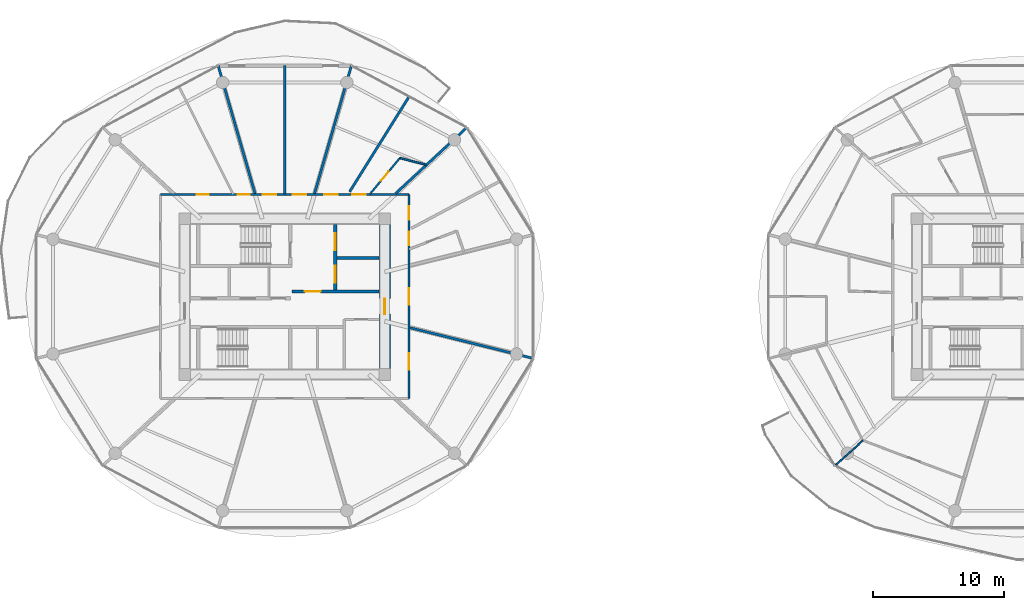
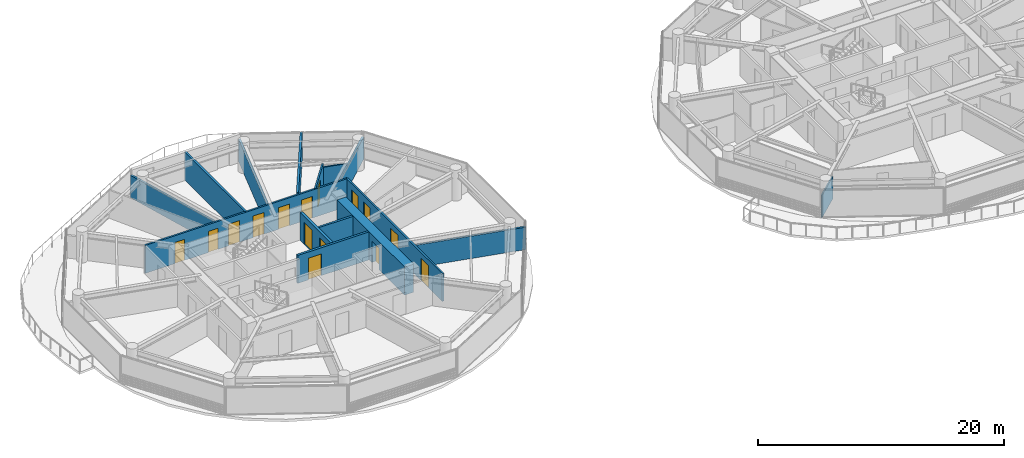
# One storey, part 16 of 26: 15 doors, 15 walls, 15 openings.
"""IFC4 building model written with IfcOpenShell, lengths in metres."""

from ifc_helpers import new_model, si_unit, direction, frame, frame_2d, origin, place, context, subcontext, project, spatial, rectangle, extrude, source, transform, mapped, material, layer, layer_set, type_object, type_shapes, element, fill, save


model = new_model("IFC4")

# Units and contexts
model_context = context("Model", 3, precision=1e-05, world=origin(), true_north=direction((0.0, 1.0)))
body_context = subcontext(model_context, "Body", "Model", "MODEL_VIEW")
ifc_project = project(units=[si_unit("LENGTHUNIT", "METRE"), si_unit("AREAUNIT", "SQUARE_METRE"), si_unit("VOLUMEUNIT", "CUBIC_METRE"), si_unit("PLANEANGLEUNIT", "RADIAN"), si_unit("MASSUNIT", "GRAM", prefix="KILO")], contexts=[model_context])

# Site, building, storey
site_placement = place(None, origin())
site = spatial("IfcSite", under=ifc_project, at=site_placement, CompositionType="ELEMENT")
building_placement = place(site_placement, origin())
building = spatial("IfcBuilding", under=site, at=building_placement, Name="Norrkilde Senior Care Towers", CompositionType="ELEMENT")
storey_placement = place(building_placement, frame((0.0, 0.0, 24.64990234375)))
storey = spatial("IfcBuildingStorey", under=building, at=storey_placement, Name="L06", CompositionType="ELEMENT", Elevation=24.64990234375)

# Wall, opening, door
ifc_material_1 = material(Name="Concrete C60/75", Category="concrete")
ifc_layer_1 = layer(ifc_material_1, 0.85009765625)
ifc_layer_set_1 = layer_set([ifc_layer_1], Name="Concrete C60/75")
wall_type_1 = type_object("IfcWallType", Name="Core Shear Wall Z1 850", PredefinedType="SHEAR", material=ifc_layer_set_1)
shared_shape_1 = source(origin(), body_context, "Body", "SweptSolid", [
    extrude(rectangle(XDim=11.0, YDim=0.85009765625, at=frame_2d((5.5, 0.0))), origin(), (0.0, 0.0, 1.0), 2.7900390625),
])
type_shapes(wall_type_1, [shared_shape_1])
wall_1_placement = place(storey_placement, frame((-20.35009765625, 5.5, 0.0), z_axis=(0.0, 0.0, 1.0), x_axis=(0.0, -1.0, 0.0)))
wall_1 = element("IfcWall", 1, at=wall_1_placement, inside=storey, type_object=wall_type_1, Name="L06 Core W East Shear Wall", PredefinedType="SHEAR", context=body_context, shape_type="MappedRepresentation", body=[
    mapped(shared_shape_1, transform((0.0, 0.0, 0.0), x_axis=(1.0, 0.0, 0.0), y_axis=(0.0, 1.0, 0.0), z_axis=(0.0, 0.0, 1.0), scale=1.0)),
])
opening_1_placement = place(wall_1_placement, frame((5.64990234375, 0.0, 0.0)))
opening_1 = element("IfcOpeningElement", 2, at=opening_1_placement, cuts=wall_1, Name="Opening D-04", PredefinedType="OPENING", context=body_context, shape_type="SweptSolid", body=[
    extrude(rectangle(XDim=1.199951171875, YDim=2.14990234375, at=frame_2d((0.60009765625, 1.074951171875))), frame((0.0, 0.43505859375, 0.0), z_axis=(0.0, -1.0, 0.0), x_axis=(1.0, 0.0, 0.0)), (0.0, 0.0, 1.0), 0.8701171875),
])
ifc_material_2 = material(Name="Galvanised Painted Steel", Category="steel")
door_type_1 = type_object("IfcDoorType", Name="Firefighting Lobby Fire Door 1200x2150", OperationType="NOTDEFINED", PredefinedType="DOOR", material=ifc_material_2)
shared_shape_2 = source(origin(), body_context, "Body", "SweptSolid", [
    extrude(rectangle(XDim=1.199951171875, YDim=2.14990234375, at=frame_2d((0.60009765625, 1.074951171875))), frame((0.0, 0.02490234375, 0.0), z_axis=(0.0, -1.0, 0.0), x_axis=(1.0, 0.0, 0.0)), (0.0, 0.0, 1.0), 0.050048828125),
])
type_shapes(door_type_1, [shared_shape_2])
door_1_placement = place(opening_1_placement, frame((1.199951171875, 0.0, 0.0), z_axis=(0.0, 0.0, 1.0), x_axis=(-1.0, 0.0, 0.0)))
door_1 = element("IfcDoor", 3, at=door_1_placement, inside=storey, type_object=door_type_1, Name="L06 Core W East Portal Door", OperationType="SINGLE_SWING_RIGHT", OverallHeight=2.14990234375, OverallWidth=1.199951171875, PredefinedType="DOOR", context=body_context, shape_type="MappedRepresentation", body=[
    mapped(shared_shape_2, transform((0.0, 0.0, 0.0), x_axis=(1.0, 0.0, 0.0), y_axis=(0.0, 1.0, 0.0), z_axis=(0.0, 0.0, 1.0), scale=1.0)),
])
fill(opening_1, door_1)

# Wall, openings, doors
ifc_material_3 = material(Name="Concrete C45/55", Category="concrete")
ifc_layer_2 = layer(ifc_material_3, 0.239990234375)
ifc_layer_set_2 = layer_set([ifc_layer_2], Name="Concrete C45/55")
wall_type_2 = type_object("IfcWallType", Name="Lift and Plant Rated Enclosure Partition 240", PredefinedType="PARTITIONING", material=ifc_layer_set_2)
shared_shape_3 = source(origin(), body_context, "Body", "SweptSolid", [
    extrude(rectangle(XDim=5.0, YDim=0.239990234375, at=frame_2d((2.5, 0.0))), origin(), (0.0, 0.0, 1.0), 2.775146484375),
])
type_shapes(wall_type_2, [shared_shape_3])
wall_2_placement = place(storey_placement, frame((-24.139892578125, 0.5, 0.0), z_axis=(0.0, 0.0, 1.0), x_axis=(0.0, 1.0, 0.0)))
wall_2 = element("IfcWall", 4, at=wall_2_placement, inside=storey, type_object=wall_type_2, Name="WL-INT-L06-W-FFLE", PredefinedType="PARTITIONING", context=body_context, shape_type="MappedRepresentation", body=[
    mapped(shared_shape_3, transform((0.0, 0.0, 0.0), x_axis=(1.0, 0.0, 0.0), y_axis=(0.0, 1.0, 0.0), z_axis=(0.0, 0.0, 1.0), scale=1.0)),
])
opening_2_placement = place(wall_2_placement, frame((3.050048828125, 0.0, 0.0)))
opening_2 = element("IfcOpeningElement", 5, at=opening_2_placement, cuts=wall_2, Name="Opening LD-02", PredefinedType="OPENING", context=body_context, shape_type="SweptSolid", body=[
    extrude(rectangle(XDim=1.300048828125, YDim=2.199951171875, at=frame_2d((0.64990234375, 1.10009765625))), frame((0.0, 0.1298828125, 0.0), z_axis=(0.0, -1.0, 0.0), x_axis=(1.0, 0.0, 0.0)), (0.0, 0.0, 1.0), 0.260009765625),
])
opening_3_placement = place(wall_2_placement, frame((0.550048828125, 0.0, 0.0)))
opening_3 = element("IfcOpeningElement", 6, at=opening_3_placement, cuts=wall_2, Name="Opening LD-02", PredefinedType="OPENING", context=body_context, shape_type="SweptSolid", body=[
    extrude(rectangle(XDim=1.300048828125, YDim=2.199951171875, at=frame_2d((0.64990234375, 1.10009765625))), frame((0.0, 0.1298828125, 0.0), z_axis=(0.0, -1.0, 0.0), x_axis=(1.0, 0.0, 0.0)), (0.0, 0.0, 1.0), 0.260009765625),
])
ifc_material_4 = material(Name="Stainless Steel", Category="steel")
door_type_2 = type_object("IfcDoorType", Name="Stretcher and FFL Landing Sliding Door 1300x2200", OperationType="NOTDEFINED", PredefinedType="DOOR", material=ifc_material_4)
shared_shape_4 = source(origin(), body_context, "Body", "SweptSolid", [
    extrude(rectangle(XDim=1.300048828125, YDim=2.199951171875, at=frame_2d((0.64990234375, 1.10009765625))), frame((0.0, 0.02490234375, 0.0), z_axis=(0.0, -1.0, 0.0), x_axis=(1.0, 0.0, 0.0)), (0.0, 0.0, 1.0), 0.050048828125),
])
type_shapes(door_type_2, [shared_shape_4])
door_2_placement = place(opening_2_placement, origin())
door_2 = element("IfcDoor", 7, at=door_2_placement, inside=storey, type_object=door_type_2, Name="L06 Firefighting Lift W1 Landing Door", OperationType="SLIDING_TO_LEFT", OverallHeight=2.199951171875, OverallWidth=1.300048828125, PredefinedType="DOOR", context=body_context, shape_type="MappedRepresentation", body=[
    mapped(shared_shape_4, transform((0.0, 0.0, 0.0), x_axis=(1.0, 0.0, 0.0), y_axis=(0.0, 1.0, 0.0), z_axis=(0.0, 0.0, 1.0), scale=1.0)),
])
fill(opening_2, door_2)
door_3_placement = place(opening_3_placement, origin())
door_3 = element("IfcDoor", 8, at=door_3_placement, inside=storey, type_object=door_type_2, Name="L06 Stretcher Lift W1 Landing Door", OperationType="SLIDING_TO_RIGHT", OverallHeight=2.199951171875, OverallWidth=1.300048828125, PredefinedType="DOOR", context=body_context, shape_type="MappedRepresentation", body=[
    mapped(shared_shape_4, transform((0.0, 0.0, 0.0), x_axis=(1.0, 0.0, 0.0), y_axis=(0.0, 1.0, 0.0), z_axis=(0.0, 0.0, 1.0), scale=1.0)),
])
fill(opening_3, door_3)

# Wall
ifc_layer_3 = layer(ifc_material_3, 0.199951171875)
ifc_layer_set_3 = layer_set([ifc_layer_3], Name="Concrete C45/55")
wall_type_3 = type_object("IfcWallType", Name="Shaft Division and Plant Partition 200", PredefinedType="PARTITIONING", material=ifc_layer_set_3)
shared_shape_5 = source(origin(), body_context, "Body", "SweptSolid", [
    extrude(rectangle(XDim=3.199951171875, YDim=0.199951171875, at=frame_2d((1.60009765625, 0.0))), origin(), (0.0, 0.0, 1.0), 2.775146484375),
])
type_shapes(wall_type_3, [shared_shape_5])
wall_3_placement = place(storey_placement, frame((-24.0, 2.949951171875, 0.0), z_axis=(0.0, 0.0, 1.0), x_axis=(1.0, 0.0, 0.0)))
element("IfcWall", 9, at=wall_3_placement, inside=storey, type_object=wall_type_3, Name="WL-INT-L06-W-FFLDIV", PredefinedType="PARTITIONING", context=body_context, shape_type="MappedRepresentation", body=[
    mapped(shared_shape_5, transform((0.0, 0.0, 0.0), x_axis=(1.0, 0.0, 0.0), y_axis=(0.0, 1.0, 0.0), z_axis=(0.0, 0.0, 1.0), scale=1.0)),
])

# Wall, opening, door
ifc_layer_4 = layer(ifc_material_3, 0.2099609375)
ifc_layer_set_4 = layer_set([ifc_layer_4], Name="Concrete C45/55")
wall_type_4 = type_object("IfcWallType", Name="Firefighting Lobby Wall 210", PredefinedType="PARTITIONING", material=ifc_layer_set_4)
shared_shape_6 = source(origin(), body_context, "Body", "SweptSolid", [
    extrude(rectangle(XDim=6.659912109375, YDim=0.2099609375, at=frame_2d((3.330078125, 0.0))), origin(), (0.0, 0.0, 1.0), 2.775146484375),
])
type_shapes(wall_type_4, [shared_shape_6])
wall_4_placement = place(storey_placement, frame((-27.4599609375, 0.389892578125, 0.0), z_axis=(0.0, 0.0, 1.0), x_axis=(1.0, 0.0, 0.0)))
wall_4 = element("IfcWall", 10, at=wall_4_placement, inside=storey, type_object=wall_type_4, Name="WL-INT-L06-W-FFLS", PredefinedType="PARTITIONING", context=body_context, shape_type="MappedRepresentation", body=[
    mapped(shared_shape_6, transform((0.0, 0.0, 0.0), x_axis=(1.0, 0.0, 0.0), y_axis=(0.0, 1.0, 0.0), z_axis=(0.0, 0.0, 1.0), scale=1.0)),
])
opening_4_placement = place(wall_4_placement, frame((1.0, 0.0, 0.0)))
opening_4 = element("IfcOpeningElement", 11, at=opening_4_placement, cuts=wall_4, Name="Opening D-04", PredefinedType="OPENING", context=body_context, shape_type="SweptSolid", body=[
    extrude(rectangle(XDim=1.199951171875, YDim=2.14990234375, at=frame_2d((0.60009765625, 1.074951171875))), frame((0.0, 0.114990234375, 0.0), z_axis=(0.0, -1.0, 0.0), x_axis=(1.0, 0.0, 0.0)), (0.0, 0.0, 1.0), 0.22998046875),
])
door_4_placement = place(opening_4_placement, frame((1.199951171875, 0.0, 0.0), z_axis=(0.0, 0.0, 1.0), x_axis=(-1.0, 0.0, 0.0)))
door_4 = element("IfcDoor", 12, at=door_4_placement, inside=storey, type_object=door_type_1, Name="L06 Firefighting Lobby W Door", OperationType="SINGLE_SWING_LEFT", OverallHeight=2.14990234375, OverallWidth=1.199951171875, PredefinedType="DOOR", context=body_context, shape_type="MappedRepresentation", body=[
    mapped(shared_shape_2, transform((0.0, 0.0, 0.0), x_axis=(1.0, 0.0, 0.0), y_axis=(0.0, 1.0, 0.0), z_axis=(0.0, 0.0, 1.0), scale=1.0)),
])
fill(opening_4, door_4)

# Wall, openings, doors
ifc_material_5 = material(Name="Gypsum Acoustic Board")
ifc_layer_5 = layer(ifc_material_5, 0.1650390625)
ifc_layer_set_5 = layer_set([ifc_layer_5], Name="Gypsum Acoustic Board")
wall_type_5 = type_object("IfcWallType", Name="Corridor Rated Partition 165", PredefinedType="PARTITIONING", material=ifc_layer_set_5)
shared_shape_7 = source(origin(), body_context, "Body", "SweptSolid", [
    extrude(rectangle(XDim=19.0, YDim=0.1650390625, at=frame_2d((9.5, 0.0))), origin(), (0.0, 0.0, 1.0), 2.775146484375),
])
wall_5_placement = place(storey_placement, frame((-37.5, 7.800048828125, 0.0), z_axis=(0.0, 0.0, 1.0), x_axis=(1.0, 0.0, 0.0)))
wall_5 = element("IfcWall", 13, at=wall_5_placement, inside=storey, type_object=wall_type_5, Name="WL-INT-L06-W-CRW-N-0", PredefinedType="PARTITIONING", context=body_context, shape_type="MappedRepresentation", body=[
    mapped(shared_shape_7, transform((0.0, 0.0, 0.0), x_axis=(1.0, 0.0, 0.0), y_axis=(0.0, 1.0, 0.0), z_axis=(0.0, 0.0, 1.0), scale=1.0)),
])
opening_5_placement = place(wall_5_placement, frame((14.6533203125, 0.0, 0.0)))
opening_5 = element("IfcOpeningElement", 14, at=opening_5_placement, cuts=wall_5, Name="Opening D-06", PredefinedType="OPENING", context=body_context, shape_type="SweptSolid", body=[
    extrude(rectangle(XDim=1.050048828125, YDim=2.14990234375, at=frame_2d((0.52490234375, 1.074951171875))), frame((0.0, 0.092529296875, 0.0), z_axis=(0.0, -1.0, 0.0), x_axis=(1.0, 0.0, 0.0)), (0.0, 0.0, 1.0), 0.18505859375),
])
opening_6_placement = place(wall_5_placement, frame((12.499755859375, 0.0, 0.0)))
opening_6 = element("IfcOpeningElement", 15, at=opening_6_placement, cuts=wall_5, Name="Opening D-06", PredefinedType="OPENING", context=body_context, shape_type="SweptSolid", body=[
    extrude(rectangle(XDim=1.050048828125, YDim=2.14990234375, at=frame_2d((0.52490234375, 1.074951171875))), frame((0.0, 0.092529296875, 0.0), z_axis=(0.0, -1.0, 0.0), x_axis=(1.0, 0.0, 0.0)), (0.0, 0.0, 1.0), 0.18505859375),
])
opening_7_placement = place(wall_5_placement, frame((10.103759765625, 0.0, 0.0)))
opening_7 = element("IfcOpeningElement", 16, at=opening_7_placement, cuts=wall_5, Name="Opening D-06", PredefinedType="OPENING", context=body_context, shape_type="SweptSolid", body=[
    extrude(rectangle(XDim=1.050048828125, YDim=2.14990234375, at=frame_2d((0.52490234375, 1.074951171875))), frame((0.0, 0.092529296875, 0.0), z_axis=(0.0, -1.0, 0.0), x_axis=(1.0, 0.0, 0.0)), (0.0, 0.0, 1.0), 0.18505859375),
])
opening_8_placement = place(wall_5_placement, frame((7.806396484375, 0.0, 0.0)))
opening_8 = element("IfcOpeningElement", 17, at=opening_8_placement, cuts=wall_5, Name="Opening D-06", PredefinedType="OPENING", context=body_context, shape_type="SweptSolid", body=[
    extrude(rectangle(XDim=1.050048828125, YDim=2.14990234375, at=frame_2d((0.52490234375, 1.074951171875))), frame((0.0, 0.092529296875, 0.0), z_axis=(0.0, -1.0, 0.0), x_axis=(1.0, 0.0, 0.0)), (0.0, 0.0, 1.0), 0.18505859375),
])
opening_9_placement = place(wall_5_placement, frame((5.915283203125, 0.0, 0.0)))
opening_9 = element("IfcOpeningElement", 18, at=opening_9_placement, cuts=wall_5, Name="Opening D-08", PredefinedType="OPENING", context=body_context, shape_type="SweptSolid", body=[
    extrude(rectangle(XDim=0.919921875, YDim=2.10009765625, at=frame_2d((0.4599609375, 1.050048828125))), frame((0.0, 0.092529296875, 0.0), z_axis=(0.0, -1.0, 0.0), x_axis=(1.0, 0.0, 0.0)), (0.0, 0.0, 1.0), 0.18505859375),
])
opening_10_placement = place(wall_5_placement, frame((2.76904296875, 0.0, 0.0)))
opening_10 = element("IfcOpeningElement", 19, at=opening_10_placement, cuts=wall_5, Name="Opening D-08", PredefinedType="OPENING", context=body_context, shape_type="SweptSolid", body=[
    extrude(rectangle(XDim=0.919921875, YDim=2.10009765625, at=frame_2d((0.4599609375, 1.050048828125))), frame((0.0, 0.092529296875, 0.0), z_axis=(0.0, -1.0, 0.0), x_axis=(1.0, 0.0, 0.0)), (0.0, 0.0, 1.0), 0.18505859375),
])
ifc_material_6 = material(Name="Nordic Ash Timber", Category="wood")
door_type_3 = type_object("IfcDoorType", Name="Accessible Wet Room Door 920x2100", OperationType="NOTDEFINED", PredefinedType="DOOR", material=ifc_material_6)
shared_shape_8 = source(origin(), body_context, "Body", "SweptSolid", [
    extrude(rectangle(XDim=0.919921875, YDim=2.10009765625, at=frame_2d((0.4599609375, 1.050048828125))), frame((0.0, 0.02490234375, 0.0), z_axis=(0.0, -1.0, 0.0), x_axis=(1.0, 0.0, 0.0)), (0.0, 0.0, 1.0), 0.050048828125),
])
type_shapes(door_type_3, [shared_shape_8])
door_5_placement = place(opening_9_placement, frame((0.919921875, 0.0, 0.0), z_axis=(0.0, 0.0, 1.0), x_axis=(-1.0, 0.0, 0.0)))
door_5 = element("IfcDoor", 20, at=door_5_placement, inside=storey, type_object=door_type_3, Name="L06 Accessible Restroom Door", OperationType="SINGLE_SWING_RIGHT", OverallHeight=2.10009765625, OverallWidth=0.919921875, PredefinedType="DOOR", context=body_context, shape_type="MappedRepresentation", body=[
    mapped(shared_shape_8, transform((0.0, 0.0, 0.0), x_axis=(1.0, 0.0, 0.0), y_axis=(0.0, 1.0, 0.0), z_axis=(0.0, 0.0, 1.0), scale=1.0)),
])
fill(opening_9, door_5)
door_6_placement = place(opening_10_placement, frame((0.919921875, 0.0, 0.0), z_axis=(0.0, 0.0, 1.0), x_axis=(-1.0, 0.0, 0.0)))
door_6 = element("IfcDoor", 21, at=door_6_placement, inside=storey, type_object=door_type_3, Name="L06 Public Restroom Door", OperationType="SINGLE_SWING_LEFT", OverallHeight=2.10009765625, OverallWidth=0.919921875, PredefinedType="DOOR", context=body_context, shape_type="MappedRepresentation", body=[
    mapped(shared_shape_8, transform((0.0, 0.0, 0.0), x_axis=(1.0, 0.0, 0.0), y_axis=(0.0, 1.0, 0.0), z_axis=(0.0, 0.0, 1.0), scale=1.0)),
])
fill(opening_10, door_6)
door_type_4 = type_object("IfcDoorType", Name="Apartment Entrance Fire Door 1050x2150", OperationType="NOTDEFINED", PredefinedType="DOOR", material=ifc_material_6)
shared_shape_9 = source(origin(), body_context, "Body", "SweptSolid", [
    extrude(rectangle(XDim=1.050048828125, YDim=2.14990234375, at=frame_2d((0.52490234375, 1.074951171875))), frame((0.0, 0.02490234375, 0.0), z_axis=(0.0, -1.0, 0.0), x_axis=(1.0, 0.0, 0.0)), (0.0, 0.0, 1.0), 0.050048828125),
])
type_shapes(door_type_4, [shared_shape_9])
door_7_placement = place(opening_5_placement, frame((1.050048828125, 0.0, 0.0), z_axis=(0.0, 0.0, 1.0), x_axis=(-1.0, 0.0, 0.0)))
door_7 = element("IfcDoor", 22, at=door_7_placement, inside=storey, type_object=door_type_4, Name="L06 Care Suite 0601A Entrance Door", OperationType="SINGLE_SWING_LEFT", OverallHeight=2.14990234375, OverallWidth=1.050048828125, PredefinedType="DOOR", context=body_context, shape_type="MappedRepresentation", body=[
    mapped(shared_shape_9, transform((0.0, 0.0, 0.0), x_axis=(1.0, 0.0, 0.0), y_axis=(0.0, 1.0, 0.0), z_axis=(0.0, 0.0, 1.0), scale=1.0)),
])
fill(opening_5, door_7)
door_8_placement = place(opening_6_placement, frame((1.050048828125, 0.0, 0.0), z_axis=(0.0, 0.0, 1.0), x_axis=(-1.0, 0.0, 0.0)))
door_8 = element("IfcDoor", 23, at=door_8_placement, inside=storey, type_object=door_type_4, Name="L06 Therapy Day Lounge 01 Door", OperationType="SINGLE_SWING_LEFT", OverallHeight=2.14990234375, OverallWidth=1.050048828125, PredefinedType="DOOR", context=body_context, shape_type="MappedRepresentation", body=[
    mapped(shared_shape_9, transform((0.0, 0.0, 0.0), x_axis=(1.0, 0.0, 0.0), y_axis=(0.0, 1.0, 0.0), z_axis=(0.0, 0.0, 1.0), scale=1.0)),
])
fill(opening_6, door_8)
door_9_placement = place(opening_7_placement, frame((1.050048828125, 0.0, 0.0), z_axis=(0.0, 0.0, 1.0), x_axis=(-1.0, 0.0, 0.0)))
door_9 = element("IfcDoor", 24, at=door_9_placement, inside=storey, type_object=door_type_4, Name="L06 Physiotherapy Clinic 2A Door", OperationType="SINGLE_SWING_LEFT", OverallHeight=2.14990234375, OverallWidth=1.050048828125, PredefinedType="DOOR", context=body_context, shape_type="MappedRepresentation", body=[
    mapped(shared_shape_9, transform((0.0, 0.0, 0.0), x_axis=(1.0, 0.0, 0.0), y_axis=(0.0, 1.0, 0.0), z_axis=(0.0, 0.0, 1.0), scale=1.0)),
])
fill(opening_7, door_9)
door_10_placement = place(opening_8_placement, frame((1.050048828125, 0.0, 0.0), z_axis=(0.0, 0.0, 1.0), x_axis=(-1.0, 0.0, 0.0)))
door_10 = element("IfcDoor", 25, at=door_10_placement, inside=storey, type_object=door_type_4, Name="L06 Assessment Clinic 2B Door", OperationType="SINGLE_SWING_RIGHT", OverallHeight=2.14990234375, OverallWidth=1.050048828125, PredefinedType="DOOR", context=body_context, shape_type="MappedRepresentation", body=[
    mapped(shared_shape_9, transform((0.0, 0.0, 0.0), x_axis=(1.0, 0.0, 0.0), y_axis=(0.0, 1.0, 0.0), z_axis=(0.0, 0.0, 1.0), scale=1.0)),
])
fill(opening_8, door_10)

shared_shape_10 = source(origin(), body_context, "Body", "SweptSolid", [
    extrude(rectangle(XDim=15.60009765625, YDim=0.1650390625, at=frame_2d((7.800048828125, 0.0))), origin(), (0.0, 0.0, 1.0), 2.775146484375),
])
type_shapes(wall_type_5, [shared_shape_7, shared_shape_10])
wall_6_placement = place(storey_placement, frame((-18.5, 7.800048828125, 0.0), z_axis=(0.0, 0.0, 1.0), x_axis=(0.0, -1.0, 0.0)))
wall_6 = element("IfcWall", 26, at=wall_6_placement, inside=storey, type_object=wall_type_5, Name="WL-INT-L06-W-CRW-E-0", PredefinedType="PARTITIONING", context=body_context, shape_type="MappedRepresentation", body=[
    mapped(shared_shape_10, transform((0.0, 0.0, 0.0), x_axis=(1.0, 0.0, 0.0), y_axis=(0.0, 1.0, 0.0), z_axis=(0.0, 0.0, 1.0), scale=1.0)),
])
opening_11_placement = place(wall_6_placement, frame((12.141357421875, 0.0, 0.0)))
opening_11 = element("IfcOpeningElement", 27, at=opening_11_placement, cuts=wall_6, Name="Opening D-05", PredefinedType="OPENING", context=body_context, shape_type="SweptSolid", body=[
    extrude(rectangle(XDim=1.25, YDim=2.199951171875, at=frame_2d((0.625, 1.10009765625))), frame((0.0, 0.092529296875, 0.0), z_axis=(0.0, -1.0, 0.0), x_axis=(1.0, 0.0, 0.0)), (0.0, 0.0, 1.0), 0.18505859375),
])
opening_12_placement = place(wall_6_placement, frame((7.175048828125, 0.0, 0.0)))
opening_12 = element("IfcOpeningElement", 28, at=opening_12_placement, cuts=wall_6, Name="Opening D-05", PredefinedType="OPENING", context=body_context, shape_type="SweptSolid", body=[
    extrude(rectangle(XDim=1.25, YDim=2.199951171875, at=frame_2d((0.625, 1.10009765625))), frame((0.0, 0.092529296875, 0.0), z_axis=(0.0, -1.0, 0.0), x_axis=(1.0, 0.0, 0.0)), (0.0, 0.0, 1.0), 0.18505859375),
])
opening_13_placement = place(wall_6_placement, frame((2.826416015625, 0.0, 0.0)))
opening_13 = element("IfcOpeningElement", 29, at=opening_13_placement, cuts=wall_6, Name="Opening D-06", PredefinedType="OPENING", context=body_context, shape_type="SweptSolid", body=[
    extrude(rectangle(XDim=1.050048828125, YDim=2.14990234375, at=frame_2d((0.52490234375, 1.074951171875))), frame((0.0, 0.092529296875, 0.0), z_axis=(0.0, -1.0, 0.0), x_axis=(1.0, 0.0, 0.0)), (0.0, 0.0, 1.0), 0.18505859375),
])
opening_14_placement = place(wall_6_placement, frame((0.88134765625, 0.0, 0.0)))
opening_14 = element("IfcOpeningElement", 30, at=opening_14_placement, cuts=wall_6, Name="Opening D-06", PredefinedType="OPENING", context=body_context, shape_type="SweptSolid", body=[
    extrude(rectangle(XDim=1.050048828125, YDim=2.14990234375, at=frame_2d((0.52490234375, 1.074951171875))), frame((0.0, 0.092529296875, 0.0), z_axis=(0.0, -1.0, 0.0), x_axis=(1.0, 0.0, 0.0)), (0.0, 0.0, 1.0), 0.18505859375),
])
door_type_5 = type_object("IfcDoorType", Name="Care Bedroom Bariatric Door 1250x2200", OperationType="NOTDEFINED", PredefinedType="DOOR", material=ifc_material_6)
shared_shape_11 = source(origin(), body_context, "Body", "SweptSolid", [
    extrude(rectangle(XDim=1.25, YDim=2.199951171875, at=frame_2d((0.625, 1.10009765625))), frame((0.0, 0.02490234375, 0.0), z_axis=(0.0, -1.0, 0.0), x_axis=(1.0, 0.0, 0.0)), (0.0, 0.0, 1.0), 0.050048828125),
])
type_shapes(door_type_5, [shared_shape_11])
door_11_placement = place(opening_11_placement, frame((1.25, 0.0, 0.0), z_axis=(0.0, 0.0, 1.0), x_axis=(-1.0, 0.0, 0.0)))
door_11 = element("IfcDoor", 31, at=door_11_placement, inside=storey, type_object=door_type_5, Name="L06 Resident Therapeutic Day Lounge Door", OperationType="SINGLE_SWING_LEFT", OverallHeight=2.199951171875, OverallWidth=1.25, PredefinedType="DOOR", context=body_context, shape_type="MappedRepresentation", body=[
    mapped(shared_shape_11, transform((0.0, 0.0, 0.0), x_axis=(1.0, 0.0, 0.0), y_axis=(0.0, 1.0, 0.0), z_axis=(0.0, 0.0, 1.0), scale=1.0)),
])
fill(opening_11, door_11)
door_12_placement = place(opening_12_placement, frame((1.25, 0.0, 0.0), z_axis=(0.0, 0.0, 1.0), x_axis=(-1.0, 0.0, 0.0)))
door_12 = element("IfcDoor", 32, at=door_12_placement, inside=storey, type_object=door_type_5, Name="L06 Care Coordination Charting Office Door", OperationType="SINGLE_SWING_RIGHT", OverallHeight=2.199951171875, OverallWidth=1.25, PredefinedType="DOOR", context=body_context, shape_type="MappedRepresentation", body=[
    mapped(shared_shape_11, transform((0.0, 0.0, 0.0), x_axis=(1.0, 0.0, 0.0), y_axis=(0.0, 1.0, 0.0), z_axis=(0.0, 0.0, 1.0), scale=1.0)),
])
fill(opening_12, door_12)
door_13_placement = place(opening_13_placement, frame((1.050048828125, 0.0, 0.0), z_axis=(0.0, 0.0, 1.0), x_axis=(-1.0, 0.0, 0.0)))
door_13 = element("IfcDoor", 33, at=door_13_placement, inside=storey, type_object=door_type_4, Name="L06 Care Suite 0600A Entrance Door", OperationType="SINGLE_SWING_RIGHT", OverallHeight=2.14990234375, OverallWidth=1.050048828125, PredefinedType="DOOR", context=body_context, shape_type="MappedRepresentation", body=[
    mapped(shared_shape_9, transform((0.0, 0.0, 0.0), x_axis=(1.0, 0.0, 0.0), y_axis=(0.0, 1.0, 0.0), z_axis=(0.0, 0.0, 1.0), scale=1.0)),
])
fill(opening_13, door_13)
door_14_placement = place(opening_14_placement, frame((1.050048828125, 0.0, 0.0), z_axis=(0.0, 0.0, 1.0), x_axis=(-1.0, 0.0, 0.0)))
door_14 = element("IfcDoor", 34, at=door_14_placement, inside=storey, type_object=door_type_4, Name="L06 Therapy Day Lounge 00 Door", OperationType="SINGLE_SWING_RIGHT", OverallHeight=2.14990234375, OverallWidth=1.050048828125, PredefinedType="DOOR", context=body_context, shape_type="MappedRepresentation", body=[
    mapped(shared_shape_9, transform((0.0, 0.0, 0.0), x_axis=(1.0, 0.0, 0.0), y_axis=(0.0, 1.0, 0.0), z_axis=(0.0, 0.0, 1.0), scale=1.0)),
])
fill(opening_14, door_14)

# Walls
ifc_layer_6 = layer(ifc_material_5, 0.18994140625)
ifc_layer_set_6 = layer_set([ifc_layer_6], Name="Gypsum Acoustic Board")
wall_type_6 = type_object("IfcWallType", Name="Unit Demising Acoustic Wall 190", PredefinedType="PARTITIONING", material=ifc_layer_set_6)
shared_shape_12 = source(origin(), body_context, "Body", "SweptSolid", [
    extrude(rectangle(XDim=7.4345703125, YDim=0.18994140625, at=frame_2d((3.71728515625, 0.0))), origin(), (0.0, 0.0, 1.0), 2.22509765625),
])
wall_7_placement = place(storey_placement, frame((-19.51708984375, 7.8798828125, 0.0), z_axis=(0.0, 0.0, 1.0), x_axis=(0.732651956848, 0.680603489652, 0.0)))
element("IfcWall", 35, at=wall_7_placement, inside=storey, type_object=wall_type_6, Name="WL-INT-L06-W-DEM-01-0", PredefinedType="PARTITIONING", context=body_context, shape_type="MappedRepresentation", body=[
    mapped(shared_shape_12, transform((0.0, 0.0, 0.0), x_axis=(1.0, 0.0, 0.0), y_axis=(0.0, 1.0, 0.0), z_axis=(0.0, 0.0, 1.0), scale=1.0)),
])
shared_shape_13 = source(origin(), body_context, "Body", "SweptSolid", [
    extrude(rectangle(XDim=10.196044921875, YDim=0.18994140625, at=frame_2d((5.09814453125, 0.0))), origin(), (0.0, 0.0, 1.0), 2.22509765625),
])
for number, where, z_axis, x_axis, name in (
    (36, (-25.72705078125, 7.8798828125, 0.0), (0.0, 0.0, 1.0), (0.277136420347, 0.960830580549, 0.0), "WL-INT-L06-W-DEM-02-0"),
    (37, (-30.27294921875, 7.8798828125, 0.0), (0.0, 0.0, 1.0), (-0.277136420347, 0.960830580549, 0.0), "WL-INT-L06-W-DEM-03-0"),
):
    element("IfcWall", number, at=place(storey_placement, frame(where, z_axis=z_axis, x_axis=x_axis)), inside=storey, type_object=wall_type_6, Name=name, PredefinedType="PARTITIONING", context=body_context, shape_type="MappedRepresentation", body=[
        mapped(shared_shape_13, transform((0.0, 0.0, 0.0), x_axis=(1.0, 0.0, 0.0), y_axis=(0.0, 1.0, 0.0), z_axis=(0.0, 0.0, 1.0), scale=1.0)),
    ])
shared_shape_14 = source(origin(), body_context, "Body", "SweptSolid", [
    extrude(rectangle(XDim=8.59814453125, YDim=0.18994140625, at=frame_2d((4.299072265625, 0.0))), origin(), (0.0, 0.0, 1.0), 2.775146484375),
])
wall_8_placement = place(storey_placement, frame((-23.04296875, 8.017333984375, 0.0), z_axis=(0.0, 0.0, 1.0), x_axis=(0.530039776395, 0.847972779893, 0.0)))
element("IfcWall", 38, at=wall_8_placement, inside=storey, type_object=wall_type_6, Name="WL-INT-L06-W-CMID-01", PredefinedType="PARTITIONING", context=body_context, shape_type="MappedRepresentation", body=[
    mapped(shared_shape_14, transform((0.0, 0.0, 0.0), x_axis=(1.0, 0.0, 0.0), y_axis=(0.0, 1.0, 0.0), z_axis=(0.0, 0.0, 1.0), scale=1.0)),
])

# Wall, opening, door
ifc_layer_7 = layer(ifc_material_5, 0.139892578125)
ifc_layer_set_7 = layer_set([ifc_layer_7], Name="Gypsum Acoustic Board")
wall_type_7 = type_object("IfcWallType", Name="En-suite Wet Room Wall 140", PredefinedType="PARTITIONING", material=ifc_layer_set_7)
shared_shape_15 = source(origin(), body_context, "Body", "SweptSolid", [
    extrude(rectangle(XDim=3.594482421875, YDim=0.139892578125, at=frame_2d((1.79736328125, 0.0))), origin(), (0.0, 0.0, 1.0), 2.775146484375),
])
wall_9_placement = place(storey_placement, frame((-21.49560546875, 7.830078125, 0.0), z_axis=(0.0, 0.0, 1.0), x_axis=(0.639001147083, 0.769205781326, 0.0)))
wall_9 = element("IfcWall", 39, at=wall_9_placement, inside=storey, type_object=wall_type_7, Name="WL-INT-L06-W-ES-01A", PredefinedType="PARTITIONING", context=body_context, shape_type="MappedRepresentation", body=[
    mapped(shared_shape_15, transform((0.0, 0.0, 0.0), x_axis=(1.0, 0.0, 0.0), y_axis=(0.0, 1.0, 0.0), z_axis=(0.0, 0.0, 1.0), scale=1.0)),
])
opening_15_placement = place(wall_9_placement, frame((1.33740234375, 0.0, 0.0)))
opening_15 = element("IfcOpeningElement", 40, at=opening_15_placement, cuts=wall_9, Name="Opening D-08", PredefinedType="OPENING", context=body_context, shape_type="SweptSolid", body=[
    extrude(rectangle(XDim=0.919921875, YDim=2.10009765625, at=frame_2d((0.4599609375, 1.050048828125))), frame((0.0, 0.079833984375, 0.0), z_axis=(0.0, -1.0, 0.0), x_axis=(1.0, 0.0, 0.0)), (0.0, 0.0, 1.0), 0.159912109375),
])
door_15_placement = place(opening_15_placement, origin())
door_15 = element("IfcDoor", 41, at=door_15_placement, inside=storey, type_object=door_type_3, Name="L06 Care Suite 0601A Bathroom Door", OperationType="SINGLE_SWING_RIGHT", OverallHeight=2.10009765625, OverallWidth=0.919921875, PredefinedType="DOOR", context=body_context, shape_type="MappedRepresentation", body=[
    mapped(shared_shape_8, transform((0.0, 0.0, 0.0), x_axis=(1.0, 0.0, 0.0), y_axis=(0.0, 1.0, 0.0), z_axis=(0.0, 0.0, 1.0), scale=1.0)),
])
fill(opening_15, door_15)

# Walls
shared_shape_16 = source(origin(), body_context, "Body", "SweptSolid", [
    extrude(rectangle(XDim=2.06201171875, YDim=0.139892578125, at=frame_2d((1.031005859375, 0.0))), origin(), (0.0, 0.0, 1.0), 2.4150390625),
])
type_shapes(wall_type_7, [shared_shape_15, shared_shape_16])
wall_10_placement = place(storey_placement, frame((-19.19873046875, 10.594970703125, 0.0), z_axis=(0.0, 0.0, 1.0), x_axis=(0.968776253543, -0.247936626121, 0.0)))
element("IfcWall", 42, at=wall_10_placement, inside=storey, type_object=wall_type_7, Name="WL-INT-L06-W-EF-01A", PredefinedType="PARTITIONING", context=body_context, shape_type="MappedRepresentation", body=[
    mapped(shared_shape_16, transform((0.0, 0.0, 0.0), x_axis=(1.0, 0.0, 0.0), y_axis=(0.0, 1.0, 0.0), z_axis=(0.0, 0.0, 1.0), scale=1.0)),
])
shared_shape_17 = source(origin(), body_context, "Body", "SweptSolid", [
    extrude(rectangle(XDim=9.846435546875, YDim=0.18994140625, at=frame_2d((4.92333984375, 0.0))), origin(), (0.0, 0.0, 1.0), 2.775146484375),
])
wall_11_placement = place(storey_placement, frame((-28.0, 7.830078125, 0.0), z_axis=(0.0, 0.0, 1.0), x_axis=(0.0, 1.0, 0.0)))
element("IfcWall", 43, at=wall_11_placement, inside=storey, type_object=wall_type_6, Name="WL-INT-L06-W-MID-02", PredefinedType="PARTITIONING", context=body_context, shape_type="MappedRepresentation", body=[
    mapped(shared_shape_17, transform((0.0, 0.0, 0.0), x_axis=(1.0, 0.0, 0.0), y_axis=(0.0, 1.0, 0.0), z_axis=(0.0, 0.0, 1.0), scale=1.0)),
])
shared_shape_18 = source(origin(), body_context, "Body", "SweptSolid", [
    extrude(rectangle(XDim=9.737060546875, YDim=0.18994140625, at=frame_2d((4.86865234375, 0.0))), origin(), (0.0, 0.0, 1.0), 2.22509765625),
])
type_shapes(wall_type_6, [shared_shape_12, shared_shape_13, shared_shape_14, shared_shape_17, shared_shape_18])
wall_12_placement = place(storey_placement, frame((-18.419921875, -2.384521484375, 0.0), z_axis=(0.0, 0.0, 1.0), x_axis=(0.970392716238, -0.241532557375, 0.0)))
element("IfcWall", 44, at=wall_12_placement, inside=storey, type_object=wall_type_6, Name="WL-INT-L06-W-DEM-11-0", PredefinedType="PARTITIONING", context=body_context, shape_type="MappedRepresentation", body=[
    mapped(shared_shape_18, transform((0.0, 0.0, 0.0), x_axis=(1.0, 0.0, 0.0), y_axis=(0.0, 1.0, 0.0), z_axis=(0.0, 0.0, 1.0), scale=1.0)),
])
ifc_layer_8 = layer(ifc_material_5, 0.114990234375)
ifc_layer_set_8 = layer_set([ifc_layer_8], Name="Gypsum Acoustic Board")
wall_type_8 = type_object("IfcWallType", Name="Internal Room Partition 115", PredefinedType="PARTITIONING", material=ifc_layer_set_8)
shared_shape_19 = source(origin(), body_context, "Body", "SweptSolid", [
    extrude(rectangle(XDim=2.887451171875, YDim=0.114990234375, at=frame_2d((1.44384765625, 0.0))), origin(), (0.0, 0.0, 1.0), 2.22509765625),
])
type_shapes(wall_type_8, [shared_shape_19])
wall_13_placement = place(storey_placement, frame((16.2138671875, -11.005615234375, 0.0), z_axis=(0.0, 0.0, 1.0), x_axis=(-0.742448503307, -0.669903142205, 0.0)))
element("IfcWall", 45, at=wall_13_placement, inside=storey, type_object=wall_type_8, Name="WL-INT-L06-E-UBR-05-2", PredefinedType="PARTITIONING", context=body_context, shape_type="MappedRepresentation", body=[
    mapped(shared_shape_19, transform((0.0, 0.0, 0.0), x_axis=(1.0, 0.0, 0.0), y_axis=(0.0, 1.0, 0.0), z_axis=(0.0, 0.0, 1.0), scale=1.0)),
])

save(model, "model.ifc")
